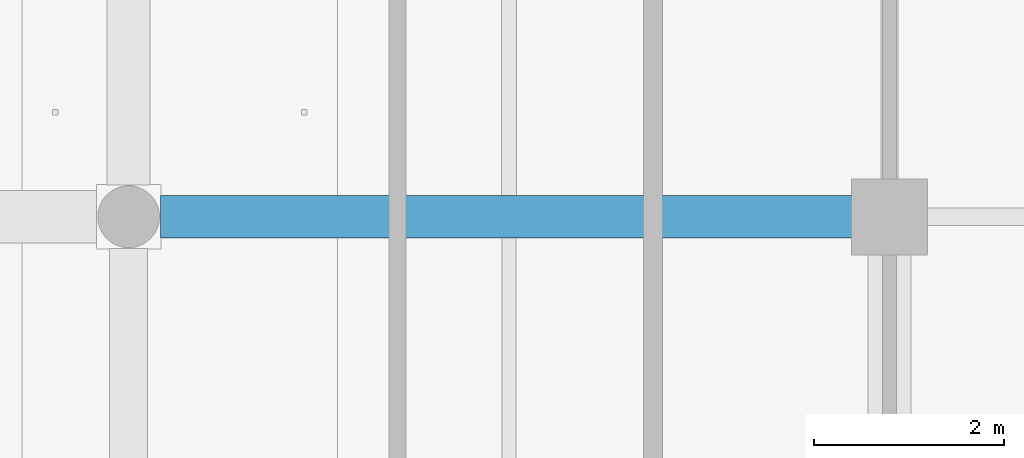
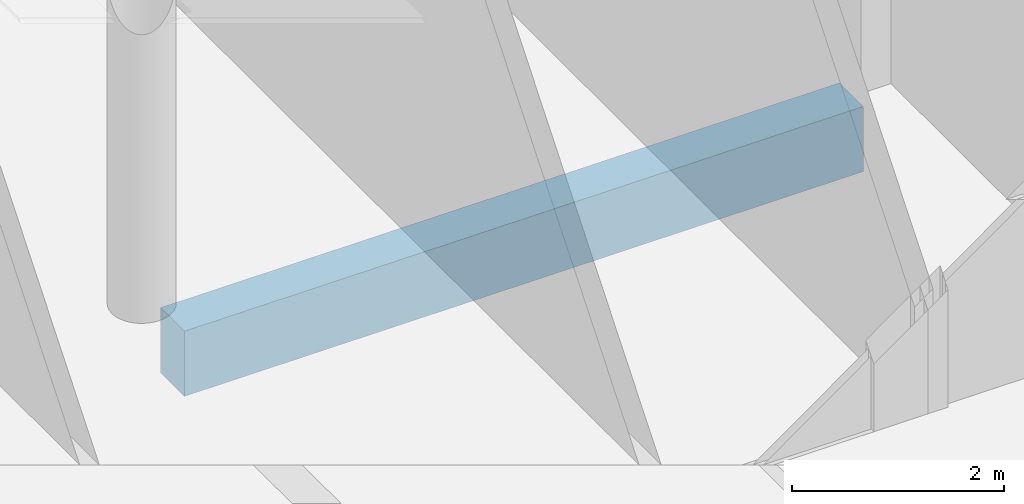
# One storey, part 44 of 147: 1 beam.
"""IFC4 building model written with IfcOpenShell, lengths in metres."""

from ifc_helpers import new_model, si_unit, direction, frame, origin, origin_2d, place, context, subcontext, project, spatial, rectangle, extrude, material, material_profile, profile_set, type_object, element, save


model = new_model("IFC4")

# Units and contexts
model_context = context("Model", 3, precision=1e-05, world=origin(), true_north=direction((0.0, 1.0)))
body_context = subcontext(model_context, "Body", "Model", "MODEL_VIEW")
ifc_project = project(units=[si_unit("LENGTHUNIT", "METRE"), si_unit("AREAUNIT", "SQUARE_METRE"), si_unit("VOLUMEUNIT", "CUBIC_METRE"), si_unit("PLANEANGLEUNIT", "RADIAN"), si_unit("MASSUNIT", "GRAM", prefix="KILO")], contexts=[model_context])

# Site, building, storey
site_placement = place(None, origin())
site = spatial("IfcSite", under=ifc_project, at=site_placement, CompositionType="ELEMENT")
building_placement = place(site_placement, origin())
building = spatial("IfcBuilding", under=site, at=building_placement, Name="Khelvaren Railside Concert Hall", CompositionType="ELEMENT")
storey_placement = place(building_placement, frame((0.0, 0.0, 5.39990234375)))
storey = spatial("IfcBuildingStorey", under=building, at=storey_placement, Name="L01", CompositionType="ELEMENT", Elevation=5.39990234375)

# Beam
ifc_material = material(Name="Concrete C40/50", Category="concrete")
ifc_material_profile = material_profile(ifc_material, rectangle(XDim=0.449951171875, YDim=0.75, at=origin_2d()), Name="RCB 450x750")
ifc_profile_set = profile_set([ifc_material_profile], Name="Concrete C40/50")
beam_type = type_object("IfcBeamType", Name="BM83", PredefinedType="BEAM", material=ifc_profile_set)
beam_placement = place(storey_placement, frame((152.3359375, 30.39990234375, -0.6748046875), z_axis=(1.0, 0.0, 0.0), x_axis=(0.0, 1.0, 0.0)))
element("IfcBeam", 1, at=beam_placement, inside=storey, type_object=beam_type, Name="V2 L01 Beam X5.2", PredefinedType="BEAM", context=body_context, shape_type="SweptSolid", body=[
    extrude(rectangle(XDim=0.449951171875, YDim=0.75, at=origin_2d()), origin(), (0.0, 0.0, 1.0), 7.39111328125),
])

save(model, "model.ifc")
